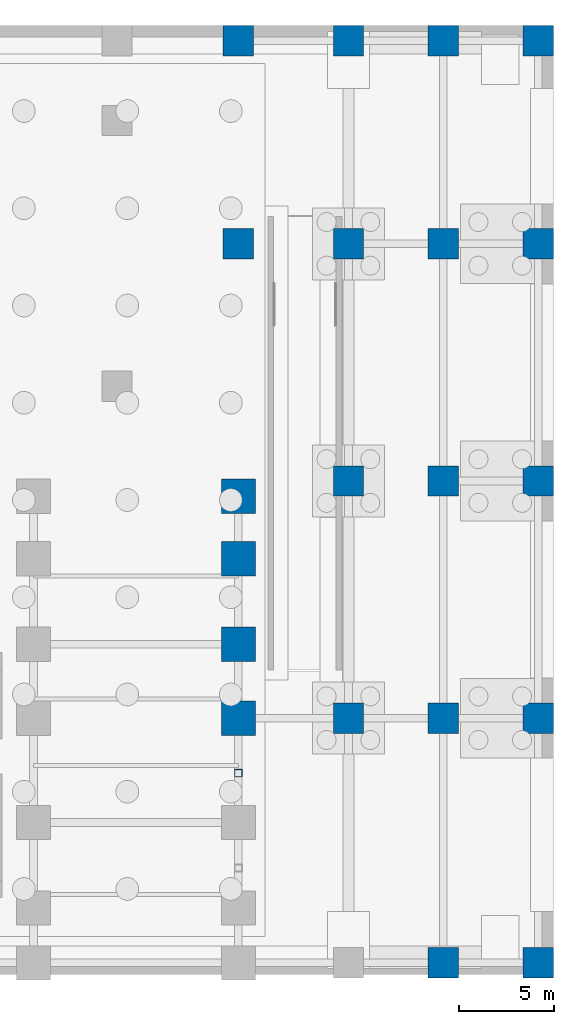
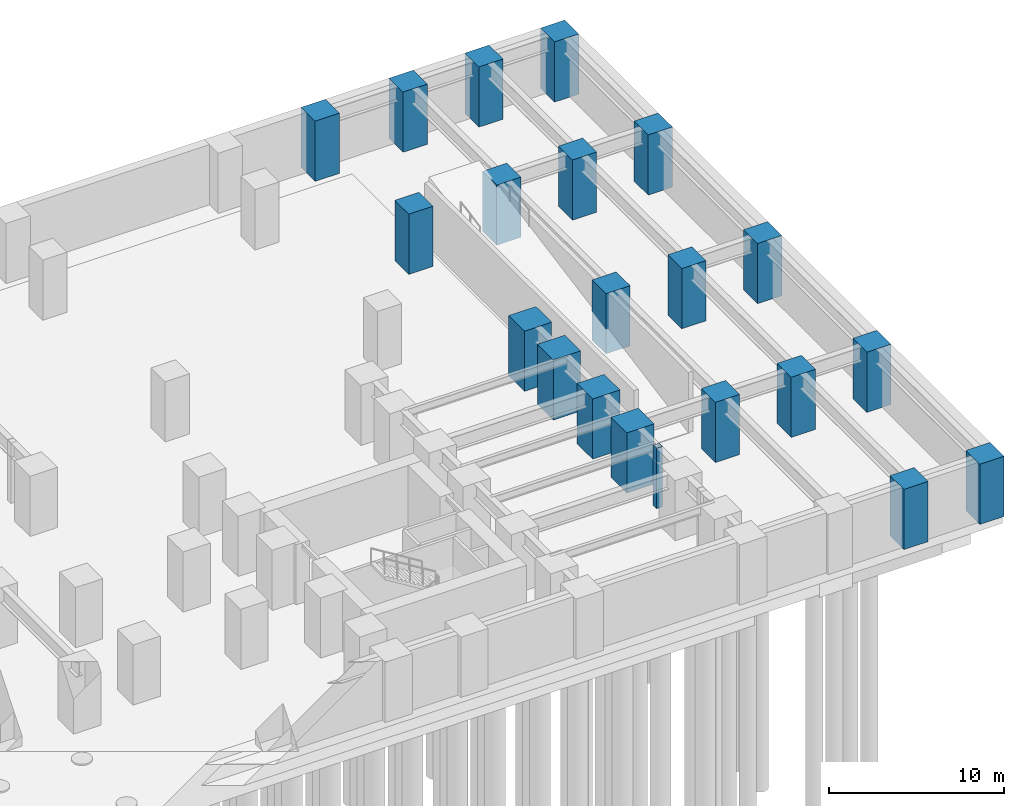
# One storey, part 7 of 15: 21 columns.
"""IFC4 building model written with IfcOpenShell, lengths in metres."""

from ifc_helpers import new_model, si_unit, direction, frame, origin, origin_2d, place, context, subcontext, project, spatial, rectangle, hollow_rectangle, extrude, source, transform, mapped, material, material_profile, profile_set, type_object, element, save


model = new_model("IFC4")

# Units and contexts
model_context = context("Model", 3, precision=1e-05, world=origin(), true_north=direction((0.0, 1.0)))
body_context = subcontext(model_context, "Body", "Model", "MODEL_VIEW")
ifc_project = project(units=[si_unit("LENGTHUNIT", "METRE"), si_unit("AREAUNIT", "SQUARE_METRE"), si_unit("VOLUMEUNIT", "CUBIC_METRE"), si_unit("PLANEANGLEUNIT", "RADIAN"), si_unit("MASSUNIT", "GRAM", prefix="KILO")], contexts=[model_context])

# Site, building, storey
site_placement = place(None, origin())
site = spatial("IfcSite", under=ifc_project, at=site_placement, CompositionType="ELEMENT")
building_placement = place(site_placement, origin())
building = spatial("IfcBuilding", under=site, at=building_placement, Name="Kharzan Plaza Tower", CompositionType="ELEMENT")
storey_placement = place(building_placement, frame((0.0, 0.0, -9.0)))
storey = spatial("IfcBuildingStorey", under=building, at=storey_placement, Name="B02", CompositionType="ELEMENT", Elevation=-9.0)

# Columns
ifc_material_1 = material(Name="Concrete C60/75", Category="concrete")
ifc_material_profile_1 = material_profile(ifc_material_1, rectangle(XDim=1.60009765625, YDim=1.60009765625, at=origin_2d()), Name="RC-MC1600x1600")
ifc_profile_set_1 = profile_set([ifc_material_profile_1], Name="Concrete C60/75")
column_type_1 = type_object("IfcColumnType", Name="COL-BC1600", PredefinedType="COLUMN", material=ifc_profile_set_1)
shared_shape_1 = source(origin(), body_context, "Body", "SweptSolid", [
    extrude(rectangle(XDim=1.60009765625, YDim=1.60009765625, at=origin_2d()), origin(), (0.0, 0.0, 1.0), 4.199951171875),
])
for number, where, z_axis, x_axis, name in (
    (1, (58.39990234375, 38.5, 0.0), (0.0, 0.0, 1.0), (1.0, 0.0, 0.0), "B02 Structural Column BC07"),
    (2, (58.39990234375, 49.199951171875, 0.0), (0.0, 0.0, 1.0), (1.0, 0.0, 0.0), "B02 Structural Column BC08"),
    (3, (64.199951171875, 13.5, 0.0), (0.0, 0.0, 1.0), (1.0, 0.0, 0.0), "B02 Structural Column BC10"),
    (4, (64.199951171875, 26.0, 0.0), (0.0, 0.0, 1.0), (1.0, 0.0, 0.0), "B02 Structural Column BC11"),
    (5, (64.199951171875, 38.5, 0.0), (0.0, 0.0, 1.0), (1.0, 0.0, 0.0), "B02 Structural Column BC12"),
    (6, (64.199951171875, 49.199951171875, 0.0), (0.0, 0.0, 1.0), (1.0, 0.0, 0.0), "B02 Structural Column BC13"),
    (7, (69.199951171875, 0.60009765625, 0.0), (0.0, 0.0, 1.0), (1.0, 0.0, 0.0), "B02 Structural Column BC14"),
    (8, (69.199951171875, 13.5, 0.0), (0.0, 0.0, 1.0), (1.0, 0.0, 0.0), "B02 Structural Column BC15"),
    (9, (69.199951171875, 26.0, 0.0), (0.0, 0.0, 1.0), (1.0, 0.0, 0.0), "B02 Structural Column BC16"),
    (10, (69.199951171875, 38.5, 0.0), (0.0, 0.0, 1.0), (1.0, 0.0, 0.0), "B02 Structural Column BC17"),
    (11, (69.199951171875, 49.199951171875, 0.0), (0.0, 0.0, 1.0), (1.0, 0.0, 0.0), "B02 Structural Column BC18"),
    (12, (74.199951171875, 0.60009765625, 0.0), (0.0, 0.0, 1.0), (1.0, 0.0, 0.0), "B02 Structural Column BC19"),
    (13, (74.199951171875, 13.5, 0.0), (0.0, 0.0, 1.0), (1.0, 0.0, 0.0), "B02 Structural Column BC20"),
    (14, (74.199951171875, 26.0, 0.0), (0.0, 0.0, 1.0), (1.0, 0.0, 0.0), "B02 Structural Column BC21"),
    (15, (74.199951171875, 38.5, 0.0), (0.0, 0.0, 1.0), (1.0, 0.0, 0.0), "B02 Structural Column BC22"),
    (16, (74.199951171875, 49.199951171875, 0.0), (0.0, 0.0, 1.0), (1.0, 0.0, 0.0), "B02 Structural Column BC23"),
):
    element("IfcColumn", number, at=place(storey_placement, frame(where, z_axis=z_axis, x_axis=x_axis)), inside=storey, type_object=column_type_1, Name=name, PredefinedType="COLUMN", context=body_context, shape_type="MappedRepresentation", body=[
        mapped(shared_shape_1, transform((0.0, 0.0, 0.0), x_axis=(1.0, 0.0, 0.0), y_axis=(0.0, 1.0, 0.0), z_axis=(0.0, 0.0, 1.0))),
    ])
ifc_material_profile_2 = material_profile(ifc_material_1, rectangle(XDim=1.800048828125, YDim=1.800048828125, at=origin_2d()), Name="RC-MC1800x1800")
ifc_profile_set_2 = profile_set([ifc_material_profile_2], Name="Concrete C60/75")
column_type_2 = type_object("IfcColumnType", Name="COL-MC1800", PredefinedType="COLUMN", material=ifc_profile_set_2)
shared_shape_2 = source(origin(), body_context, "Body", "SweptSolid", [
    extrude(rectangle(XDim=1.800048828125, YDim=1.800048828125, at=origin_2d()), origin(), (0.0, 0.0, 1.0), 4.199951171875),
])
for number, where, z_axis, x_axis, name in (
    (17, (58.39990234375, 13.5, 0.0), (0.0, 0.0, 1.0), (1.0, 0.0, 0.0), "B02 Podium Mega-Column MC27"),
    (18, (58.39990234375, 17.39990234375, 0.0), (0.0, 0.0, 1.0), (1.0, 0.0, 0.0), "B02 Podium Mega-Column MC28"),
    (19, (58.39990234375, 21.89990234375, 0.0), (0.0, 0.0, 1.0), (1.0, 0.0, 0.0), "B02 Podium Mega-Column MC29"),
    (20, (58.39990234375, 25.199951171875, 0.0), (0.0, 0.0, 1.0), (1.0, 0.0, 0.0), "B02 Podium Mega-Column MC30"),
):
    element("IfcColumn", number, at=place(storey_placement, frame(where, z_axis=z_axis, x_axis=x_axis)), inside=storey, type_object=column_type_2, Name=name, PredefinedType="COLUMN", context=body_context, shape_type="MappedRepresentation", body=[
        mapped(shared_shape_2, transform((0.0, 0.0, 0.0), x_axis=(1.0, 0.0, 0.0), y_axis=(0.0, 1.0, 0.0), z_axis=(0.0, 0.0, 1.0))),
    ])
ifc_material_2 = material(Name="Steel S355", Category="steel")
ifc_material_profile_3 = material_profile(ifc_material_2, hollow_rectangle(XDim=0.39990234375, YDim=0.39990234375, WallThickness=0.02001953125, at=origin_2d()), Name="SHS400x400x20")
ifc_profile_set_3 = profile_set([ifc_material_profile_3], Name="Steel S355")
column_type_3 = type_object("IfcColumnType", Name="COL-PIL400", PredefinedType="PILASTER", material=ifc_profile_set_3)
shared_shape_3 = source(origin(), body_context, "Body", "SweptSolid", [
    extrude(hollow_rectangle(XDim=0.39990234375, YDim=0.39990234375, WallThickness=0.02001953125, at=origin_2d()), origin(), (0.0, 0.0, 1.0), 4.199951171875),
])
column_placement = place(storey_placement, frame((58.39990234375, 10.60009765625, 0.0), z_axis=(0.0, 0.0, 1.0), x_axis=(1.0, 0.0, 0.0)))
element("IfcColumn", 21, at=column_placement, inside=storey, type_object=column_type_3, Name="B02 Portal Steel Pilaster 6", PredefinedType="PILASTER", context=body_context, shape_type="MappedRepresentation", body=[
    mapped(shared_shape_3, transform((0.0, 0.0, 0.0), x_axis=(1.0, 0.0, 0.0), y_axis=(0.0, 1.0, 0.0), z_axis=(0.0, 0.0, 1.0))),
])

save(model, "model.ifc")
